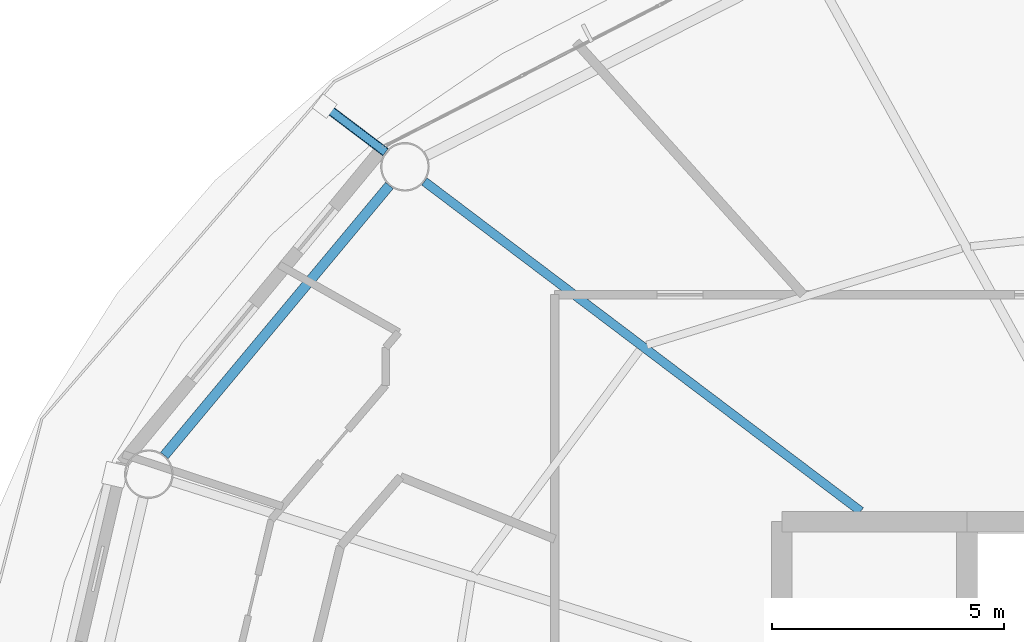
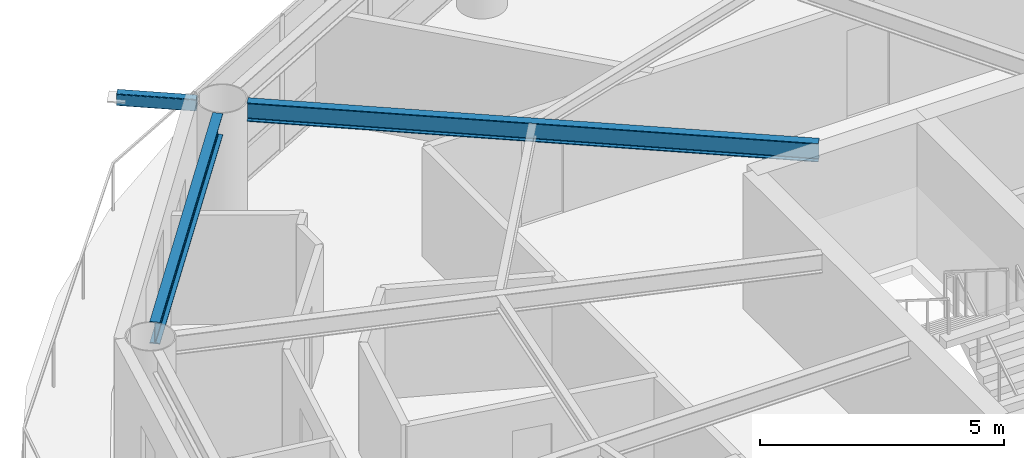
# One storey, part 10 of 30: 2 beams, 1 member.
"""IFC4 building model written with IfcOpenShell, lengths in metres."""

from ifc_helpers import new_model, si_unit, direction, frame, origin, origin_2d, place, context, subcontext, project, spatial, hollow_rectangle, i_section, extrude, material, material_profile, profile_set, type_object, element, save


model = new_model("IFC4")

# Units and contexts
model_context = context("Model", 3, precision=1e-05, world=origin(), true_north=direction((0.0, 1.0)))
body_context = subcontext(model_context, "Body", "Model", "MODEL_VIEW")
ifc_project = project(units=[si_unit("LENGTHUNIT", "METRE"), si_unit("AREAUNIT", "SQUARE_METRE"), si_unit("VOLUMEUNIT", "CUBIC_METRE"), si_unit("PLANEANGLEUNIT", "RADIAN"), si_unit("MASSUNIT", "GRAM", prefix="KILO")], contexts=[model_context])

# Site, building, storey
site_placement = place(None, origin())
site = spatial("IfcSite", under=ifc_project, at=site_placement, CompositionType="ELEMENT")
building_placement = place(site_placement, origin())
building = spatial("IfcBuilding", under=site, at=building_placement, Name="Sarneth Arch Tower", CompositionType="ELEMENT")
storey_placement = place(building_placement, frame((0.0, 0.0, 161.39990234375)))
storey = spatial("IfcBuildingStorey", under=building, at=storey_placement, Name="L40", CompositionType="ELEMENT", Elevation=161.39990234375)

# Beams
ifc_material_1 = material(Name="Steel S355", Category="steel")
ifc_material_profile_1 = material_profile(ifc_material_1, i_section(OverallWidth=0.193115234375, OverallDepth=0.466064453125, WebThickness=0.011474609375, FlangeThickness=0.01904296875, FilletRadius=0.01806640625, at=origin_2d()), Name="W460x97")
ifc_profile_set_1 = profile_set([ifc_material_profile_1], Name="Steel S355")
beam_type_1 = type_object("IfcBeamType", Name="BM-RAD-460C", PredefinedType="BEAM", material=ifc_profile_set_1)
beam_1_placement = place(storey_placement, frame((38.70458984375, 49.02490234375, 3.147216796875), z_axis=(-0.797786205076, 0.602940437349, 0.0), x_axis=(-0.602940437349, -0.797786205076, 0.0)))
element("IfcBeam", 1, at=beam_1_placement, inside=storey, type_object=beam_type_1, Name="L40 Radial floor girder 07", PredefinedType="BEAM", context=body_context, shape_type="SweptSolid", body=[
    extrude(i_section(OverallWidth=0.193115234375, OverallDepth=0.466064453125, WebThickness=0.011474609375, FlangeThickness=0.01904296875, FilletRadius=0.01806640625, at=origin_2d()), origin(), (0.0, 0.0, 1.0), 11.806884765625),
])
ifc_material_2 = material(Name="Steel S355", Category="steel")
ifc_material_profile_2 = material_profile(ifc_material_2, i_section(OverallWidth=0.214111328125, OverallDepth=0.549072265625, WebThickness=0.0146484375, FlangeThickness=0.023681640625, FilletRadius=0.01806640625, at=origin_2d()), Name="W530x138")
ifc_profile_set_2 = profile_set([ifc_material_profile_2], Name="Steel S355")
beam_type_2 = type_object("IfcBeamType", Name="BM-RAD-530A", PredefinedType="BEAM", material=ifc_profile_set_2)
beam_2_placement = place(storey_placement, frame((28.530029296875, 56.056884765625, 3.105712890625), z_axis=(-0.640171737024, -0.768231831621, 0.0), x_axis=(0.768231831621, -0.640171737024, 0.0)))
element("IfcBeam", 2, at=beam_2_placement, inside=storey, type_object=beam_type_2, Name="L40 Perimeter spandrel beam 07", PredefinedType="BEAM", context=body_context, shape_type="SweptSolid", body=[
    extrude(i_section(OverallWidth=0.214111328125, OverallDepth=0.549072265625, WebThickness=0.0146484375, FlangeThickness=0.023681640625, FilletRadius=0.01806640625, at=origin_2d()), origin(), (0.0, 0.0, 1.0), 7.585693359375),
])

# Member
ifc_material_3 = material(Name="Steel S355", Category="steel")
ifc_material_profile_3 = material_profile(ifc_material_3, hollow_rectangle(XDim=0.199951171875, YDim=0.300048828125, WallThickness=0.012451171875, InnerFilletRadius=0.018798828125, OuterFilletRadius=0.03125, at=origin_2d()), Name="RHS300x200x12.5")
ifc_profile_set_3 = profile_set([ifc_material_profile_3], Name="Steel S355")
member_type = type_object("IfcMemberType", Name="MEM-CANT-STRUT", PredefinedType="STRUT", material=ifc_profile_set_3)
member_placement = place(storey_placement, frame((28.447265625, 56.77685546875, 3.22021484375), z_axis=(-0.797768992816, 0.602963211234, 0.0), x_axis=(-0.602963211234, -0.797768992816, 0.0)))
element("IfcMember", 3, at=member_placement, inside=storey, type_object=member_type, Name="L40 Balcony cantilever bracket 07", PredefinedType="STRUT", context=body_context, shape_type="SweptSolid", body=[
    extrude(hollow_rectangle(XDim=0.199951171875, YDim=0.300048828125, WallThickness=0.012451171875, InnerFilletRadius=0.018798828125, OuterFilletRadius=0.03125, at=origin_2d()), origin(), (0.0, 0.0, 1.0), 1.6455078125),
])

save(model, "model.ifc")
